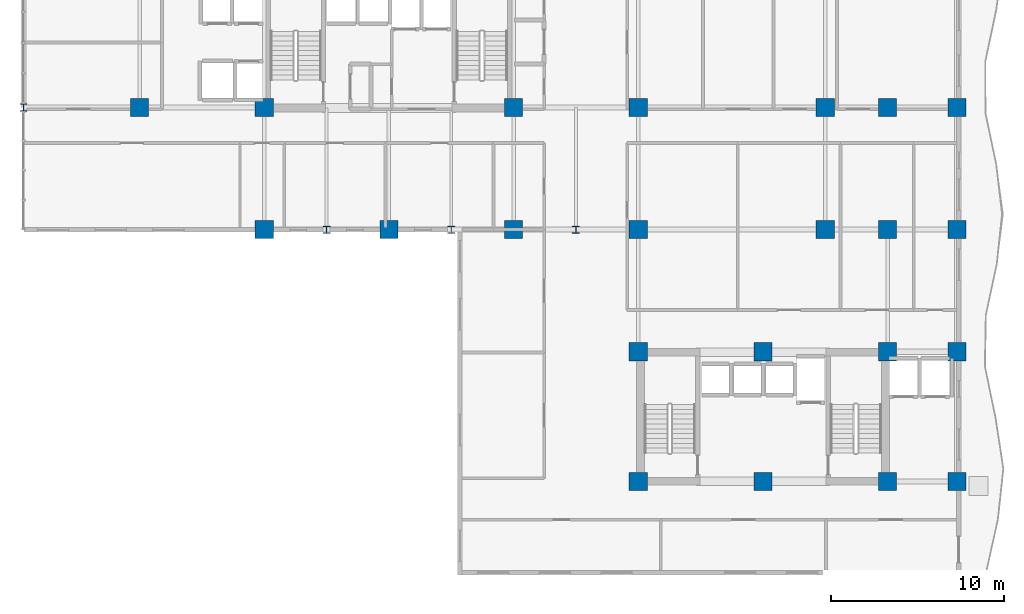
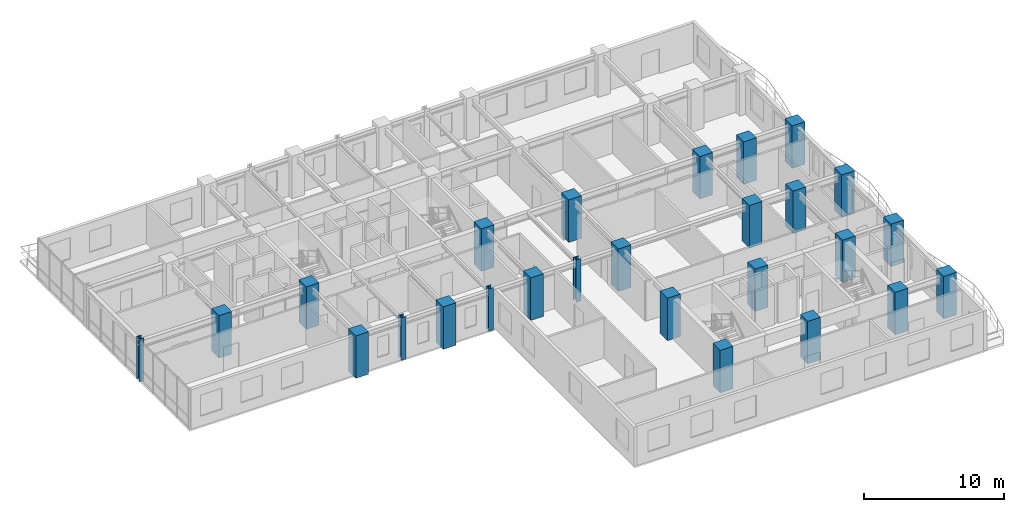
# One storey, part 1 of 19: 26 columns.
"""IFC4 building model written with IfcOpenShell, lengths in metres."""

import ifcopenshell
import ifcopenshell.guid

model = None  # the IFC model being written
_history = None  # IfcOwnerHistory: only IFC2X3 demands one
_inside = {}  # id of a spatial element -> (the spatial element, [elements in it])
_under = {}  # id of a project, library or spatial element -> (it, [spatial elements below it])
_declared = {}  # id of a project -> (the project, [libraries it declares])
_typed = {}  # id of a type object -> (the type object, [elements of that type])
_made_of = {}  # id of a material, layer set ... -> (it, [elements and type objects made of it])


def new_model(schema):
    """Start an empty IFC model of exactly this schema.

    Asked for "IFC4X3", IfcOpenShell would pick the latest addendum, in which some entities
    have other attributes; the version numbers below select the first issue.
    IFC2X3 requires an IfcOwnerHistory on every rooted entity: one is made here for all.
    """
    global model, _history
    if schema == "IFC4X3":
        model = ifcopenshell.file(schema_version=(4, 3, 0, 0))
    else:
        model = ifcopenshell.file(schema=schema)
    _inside.clear()
    _under.clear()
    _declared.clear()
    _typed.clear()
    _made_of.clear()
    _history = None
    if model.schema == "IFC2X3":
        org = make("IfcOrganization", Name="unknown")
        user = make(
            "IfcPersonAndOrganization",
            ThePerson=make("IfcPerson", FamilyName="unknown"),
            TheOrganization=org,
        )
        app = make(
            "IfcApplication",
            ApplicationDeveloper=org,
            Version="unknown",
            ApplicationFullName="unknown",
            ApplicationIdentifier="unknown",
        )
        _history = make(
            "IfcOwnerHistory",
            OwningUser=user,
            OwningApplication=app,
            ChangeAction="ADDED",
            CreationDate=0,
        )
    return model


def make(cls, **values):
    """One entity of the class cls with the attributes given. An attribute that is None is left unset."""
    return model.create_entity(
        cls, **{name: value for name, value in values.items() if value is not None}
    )


def rooted(cls, **values):
    """An entity with a GlobalId (a new one), such as an element, a storey or a relation."""
    return make(cls, GlobalId=ifcopenshell.guid.new(), OwnerHistory=_history, **values)


def si_unit(unit_type, name, prefix=None):
    """IfcSIUnit, for example si_unit("LENGTHUNIT", "METRE", prefix="MILLI")."""
    return make("IfcSIUnit", UnitType=unit_type, Prefix=prefix, Name=name)


def assignment(units):
    """IfcUnitAssignment: the units of a project."""
    return None if units is None else make("IfcUnitAssignment", Units=units)


def point(xyz):
    """IfcCartesianPoint."""
    return None if xyz is None else make("IfcCartesianPoint", Coordinates=xyz)


def direction(xyz):
    """IfcDirection."""
    return None if xyz is None else make("IfcDirection", DirectionRatios=xyz)


def frame(location, z_axis=None, x_axis=None):
    """IfcAxis2Placement3D, a coordinate frame: its origin and axes. An axis left out is left unset."""
    return make(
        "IfcAxis2Placement3D",
        Location=point(location),
        Axis=direction(z_axis),
        RefDirection=direction(x_axis),
    )


def frame_2d(location, x_axis=None):
    """IfcAxis2Placement2D, a coordinate frame in the plane: its origin and x axis."""
    return make(
        "IfcAxis2Placement2D", Location=point(location), RefDirection=direction(x_axis)
    )


def origin():
    """The frame at (0, 0, 0) with its axes left unset."""
    return frame((0.0, 0.0, 0.0))


def origin_2d():
    """The frame at (0, 0) in the plane with its x axis left unset."""
    return frame_2d((0.0, 0.0))


def place(relative_to, where):
    """IfcLocalPlacement: puts the frame where relative to a parent placement (None: the world)."""
    return make(
        "IfcLocalPlacement", PlacementRelTo=relative_to, RelativePlacement=where
    )


def context(
    kind, dimensions, precision=None, world=None, true_north=None, identifier=None
):
    """IfcGeometricRepresentationContext, for example the 3D "Model" context."""
    return make(
        "IfcGeometricRepresentationContext",
        ContextIdentifier=identifier,
        ContextType=kind,
        CoordinateSpaceDimension=dimensions,
        Precision=precision,
        WorldCoordinateSystem=world,
        TrueNorth=true_north,
    )


def subcontext(parent, identifier, kind, view, scale=None):
    """IfcGeometricRepresentationSubContext, for example "Body" below "Model"."""
    return make(
        "IfcGeometricRepresentationSubContext",
        ContextIdentifier=identifier,
        ContextType=kind,
        ParentContext=parent,
        TargetScale=scale,
        TargetView=view,
    )


def project(units=None, contexts=None):
    """IfcProject with its units and contexts."""
    return rooted(
        "IfcProject",
        Name="project",
        RepresentationContexts=contexts,
        UnitsInContext=assignment(units),
    )


def spatial(cls, under=None, at=None, **own):
    """A site, building, storey or space (cls), placed at a placement, below another one or the project."""
    s = rooted(cls, ObjectPlacement=at, **own)
    if under is not None:
        _under.setdefault(under.id(), (under, []))[1].append(s)
    return s


def profile(cls, at=None, kind="AREA", **sizes):
    """A parametric profile (cls). Its sizes go by their IFC names, for example OverallWidth=200.0."""
    return make(cls, ProfileType=kind, Position=at, **sizes)


def rectangle(**sizes):
    """IfcRectangleProfileDef."""
    return profile("IfcRectangleProfileDef", **sizes)


def i_section(**sizes):
    """IfcIShapeProfileDef."""
    return profile("IfcIShapeProfileDef", **sizes)


def extrude(swept, where, along, depth):
    """IfcExtrudedAreaSolid: the profile swept, set in the frame where, extruded along a direction by depth."""
    return make(
        "IfcExtrudedAreaSolid",
        SweptArea=swept,
        Position=where,
        ExtrudedDirection=direction(along),
        Depth=depth,
    )


def shape(context_of_items, identifier, shape_type, items):
    """IfcShapeRepresentation: the items that make up one representation, for example the "Body"."""
    return make(
        "IfcShapeRepresentation",
        ContextOfItems=context_of_items,
        RepresentationIdentifier=identifier,
        RepresentationType=shape_type,
        Items=items,
    )


def source(mapping_origin, context_of_items, identifier, shape_type, items):
    """IfcRepresentationMap: a shape defined once, which mapped items show again and again."""
    return make(
        "IfcRepresentationMap",
        MappingOrigin=mapping_origin,
        MappedRepresentation=shape(context_of_items, identifier, shape_type, items),
    )


def transform(
    local_origin,
    x_axis=None,
    y_axis=None,
    z_axis=None,
    scale=None,
    scale2=None,
    scale3=None,
    uniform=True,
):
    """IfcCartesianTransformationOperator3D, or its non-uniform kind. x_axis, y_axis, z_axis: its Axis1, 2, 3."""
    if uniform:
        return make(
            "IfcCartesianTransformationOperator3D",
            Axis1=direction(x_axis),
            Axis2=direction(y_axis),
            LocalOrigin=point(local_origin),
            Scale=scale,
            Axis3=direction(z_axis),
        )
    return make(
        "IfcCartesianTransformationOperator3DnonUniform",
        Axis1=direction(x_axis),
        Axis2=direction(y_axis),
        LocalOrigin=point(local_origin),
        Scale=scale,
        Axis3=direction(z_axis),
        Scale2=scale2,
        Scale3=scale3,
    )


def mapped(mapping_source, mapping_target):
    """IfcMappedItem: shows the shape of a source again, moved by a transform."""
    return make(
        "IfcMappedItem", MappingSource=mapping_source, MappingTarget=mapping_target
    )


def material(Name=None, Category=None):
    """IfcMaterial."""
    return make("IfcMaterial", Name=Name, Category=Category)


def material_profile(
    of_material, cross_section, Name=None, Category=None, Priority=None
):
    """IfcMaterialProfile: a cross section and its material."""
    return make(
        "IfcMaterialProfile",
        Name=Name,
        Material=of_material,
        Profile=cross_section,
        Priority=Priority,
        Category=Category,
    )


def profile_set(profiles, Name=None, composite=None):
    """IfcMaterialProfileSet."""
    return make(
        "IfcMaterialProfileSet",
        Name=Name,
        MaterialProfiles=profiles,
        CompositeProfile=composite,
    )


def made_of(thing, what):
    """Note that an element or type object is made of a material, layer set ...; save() writes the relation."""
    if what is not None:
        _made_of.setdefault(what.id(), (what, []))[1].append(thing)
    return thing


def type_object(cls, material=None, **own):
    """A type object (cls), such as IfcWallType, which elements share."""
    return made_of(rooted(cls, **own), material)


def element(
    cls,
    number,
    at=None,
    inside=None,
    cuts=None,
    type_object=None,
    material=None,
    context=None,
    identifier="Body",
    shape_type=None,
    held_by="IfcProductDefinitionShape",
    body=None,
    shapes=None,
    **own,
):
    """One element of the class cls, such as IfcWall. Its Tag is "e" and its number.

    at: its placement. inside: the storey or other place that contains it. cuts: it is an
    opening in that element (IfcRelVoidsElement). A single representation is given by context,
    identifier, shape_type and body (its items); several are given by shapes. held_by: the class
    of the entity that holds the representations. save() writes the other relations.
    """
    e = rooted(cls, Tag="e%d" % number, ObjectPlacement=at, **own)
    if body is not None:
        shapes = [shape(context, identifier, shape_type, body)]
    if shapes is not None:
        e.Representation = make(held_by, Representations=shapes)
    if inside is not None:
        _inside.setdefault(inside.id(), (inside, []))[1].append(e)
    if cuts is not None:
        rooted(
            "IfcRelVoidsElement", RelatingBuildingElement=cuts, RelatedOpeningElement=e
        )
    if type_object is not None:
        _typed.setdefault(type_object.id(), (type_object, []))[1].append(e)
    return made_of(e, material)


def aggregate(whole, parts):
    """IfcRelAggregates: a whole, such as a stair, and the parts it consists of."""
    return rooted("IfcRelAggregates", RelatingObject=whole, RelatedObjects=parts)


def save(model, path):
    """Write the relations noted so far, then the file.

    IfcRelAggregates (storeys below a building ...), IfcRelContainedInSpatialStructure (elements
    in a storey), IfcRelDefinesByType, IfcRelAssociatesMaterial and IfcRelDeclares: one each for
    every whole, place, type object, material and project.
    """
    for whole, parts in _under.values():
        aggregate(whole, parts)
    for where, things in _inside.values():
        rooted(
            "IfcRelContainedInSpatialStructure",
            RelatedElements=things,
            RelatingStructure=where,
        )
    for kind, things in _typed.values():
        rooted("IfcRelDefinesByType", RelatedObjects=things, RelatingType=kind)
    for what, things in _made_of.values():
        rooted("IfcRelAssociatesMaterial", RelatedObjects=things, RelatingMaterial=what)
    for by, libraries in _declared.values():
        rooted("IfcRelDeclares", RelatingContext=by, RelatedDefinitions=libraries)
    model.write(path)


model = new_model("IFC4")

# Units and contexts
model_context = context("Model", 3, precision=1e-05, world=origin(), true_north=direction((0.0, 1.0)))
body_context = subcontext(model_context, "Body", "Model", "MODEL_VIEW")
ifc_project = project(units=[si_unit("LENGTHUNIT", "METRE"), si_unit("AREAUNIT", "SQUARE_METRE"), si_unit("VOLUMEUNIT", "CUBIC_METRE"), si_unit("PLANEANGLEUNIT", "RADIAN"), si_unit("MASSUNIT", "GRAM", prefix="KILO")], contexts=[model_context])

# Site, building, storey
site_placement = place(None, origin())
site = spatial("IfcSite", under=ifc_project, at=site_placement, CompositionType="ELEMENT")
building_placement = place(site_placement, origin())
building = spatial("IfcBuilding", under=site, at=building_placement, Name="Kaliganga Portal Commons", CompositionType="ELEMENT")
storey_placement = place(building_placement, frame((0.0, 0.0, 140.199951171875)))
storey = spatial("IfcBuildingStorey", under=building, at=storey_placement, Name="L35", CompositionType="ELEMENT", Elevation=140.199951171875)

# Columns
ifc_material_1 = material(Name="Concrete C60/75", Category="concrete")
ifc_material_profile_1 = material_profile(ifc_material_1, rectangle(XDim=1.050048828125, YDim=1.050048828125, at=origin_2d()), Name="RC 1050x1050")
ifc_profile_set_1 = profile_set([ifc_material_profile_1], Name="Concrete C60/75")
column_type_1 = type_object("IfcColumnType", Name="COL-MEGA-Z3", PredefinedType="COLUMN", material=ifc_profile_set_1)
shared_shape_1 = source(origin(), body_context, "Body", "SweptSolid", [
    extrude(rectangle(XDim=1.050048828125, YDim=1.050048828125, at=origin_2d()), origin(), (0.0, 0.0, 1.0), 3.699951171875),
])
for number, where, z_axis, x_axis, name in (
    (1, (7.199951171875, 28.64990234375, 0.0), (0.0, 0.0, 1.0), (1.0, 0.0, 0.0), "Column MC-04 L35"),
    (2, (14.39990234375, 21.60009765625, 0.0), (0.0, 0.0, 1.0), (1.0, 0.0, 0.0), "Column MC-04 L35"),
    (3, (14.39990234375, 28.64990234375, 0.0), (0.0, 0.0, 1.0), (1.0, 0.0, 0.0), "Column MC-04 L35"),
    (4, (21.60009765625, 21.60009765625, 0.0), (0.0, 0.0, 1.0), (1.0, 0.0, 0.0), "Column MC-04 L35"),
    (5, (28.800048828125, 21.60009765625, 0.0), (0.0, 0.0, 1.0), (1.0, 0.0, 0.0), "Column MC-04 L35"),
    (6, (28.800048828125, 28.64990234375, 0.0), (0.0, 0.0, 1.0), (1.0, 0.0, 0.0), "Column MC-04 L35"),
    (7, (36.0, 21.60009765625, 0.0), (0.0, 0.0, 1.0), (1.0, 0.0, 0.0), "Column MC-04 L35"),
    (8, (36.0, 28.64990234375, 0.0), (0.0, 0.0, 1.0), (1.0, 0.0, 0.0), "Column MC-04 L35"),
    (9, (46.800048828125, 21.60009765625, 0.0), (0.0, 0.0, 1.0), (1.0, 0.0, 0.0), "Column MC-04 L35"),
    (10, (46.800048828125, 28.64990234375, 0.0), (0.0, 0.0, 1.0), (1.0, 0.0, 0.0), "Column MC-04 L35"),
    (11, (36.0, 7.050048828125, 0.0), (0.0, 0.0, 1.0), (1.0, 0.0, 0.0), "Column MC-04 L35"),
    (12, (36.0, 14.550048828125, 0.0), (0.0, 0.0, 1.0), (1.0, 0.0, 0.0), "Column MC-04 L35"),
    (13, (43.199951171875, 7.050048828125, 0.0), (0.0, 0.0, 1.0), (1.0, 0.0, 0.0), "Column MC-04 L35"),
    (14, (43.199951171875, 14.550048828125, 0.0), (0.0, 0.0, 1.0), (1.0, 0.0, 0.0), "Column MC-04 L35"),
    (15, (50.39990234375, 7.050048828125, 0.0), (0.0, 0.0, 1.0), (1.0, 0.0, 0.0), "Column MC-04 L35"),
    (16, (50.39990234375, 14.550048828125, 0.0), (0.0, 0.0, 1.0), (1.0, 0.0, 0.0), "Column MC-04 L35"),
    (17, (50.39990234375, 21.60009765625, 0.0), (0.0, 0.0, 1.0), (1.0, 0.0, 0.0), "Column MC-04 L35"),
    (18, (50.39990234375, 28.64990234375, 0.0), (0.0, 0.0, 1.0), (1.0, 0.0, 0.0), "Column MC-04 L35"),
    (19, (54.39990234375, 7.050048828125, 0.0), (0.0, 0.0, 1.0), (1.0, 0.0, 0.0), "Column MC-04 L35"),
    (20, (54.39990234375, 14.550048828125, 0.0), (0.0, 0.0, 1.0), (1.0, 0.0, 0.0), "Column MC-04 L35"),
    (21, (54.39990234375, 21.60009765625, 0.0), (0.0, 0.0, 1.0), (1.0, 0.0, 0.0), "Column MC-04 L35"),
    (22, (54.39990234375, 28.64990234375, 0.0), (0.0, 0.0, 1.0), (1.0, 0.0, 0.0), "Column MC-04 L35"),
):
    element("IfcColumn", number, at=place(storey_placement, frame(where, z_axis=z_axis, x_axis=x_axis)), inside=storey, type_object=column_type_1, Name=name, PredefinedType="COLUMN", context=body_context, shape_type="MappedRepresentation", body=[
        mapped(shared_shape_1, transform((0.0, 0.0, 0.0), x_axis=(1.0, 0.0, 0.0), y_axis=(0.0, 1.0, 0.0), z_axis=(0.0, 0.0, 1.0), scale=1.0)),
    ])
ifc_material_2 = material(Name="Structural steel S460M", Category="steel")
ifc_material_profile_2 = material_profile(ifc_material_2, i_section(OverallWidth=0.404052734375, OverallDepth=0.4140625, WebThickness=0.0205078125, FlangeThickness=0.028076171875, FilletRadius=0.014892578125, at=origin_2d()), Name="HD 400x347")
ifc_profile_set_2 = profile_set([ifc_material_profile_2], Name="Structural steel S460M wide-flange")
column_type_2 = type_object("IfcColumnType", Name="COL-TUBE-B3", PredefinedType="COLUMN", material=ifc_profile_set_2)
shared_shape_2 = source(origin(), body_context, "Body", "SweptSolid", [
    extrude(i_section(OverallWidth=0.404052734375, OverallDepth=0.4140625, WebThickness=0.0205078125, FlangeThickness=0.028076171875, FilletRadius=0.014892578125, at=origin_2d()), origin(), (0.0, 0.0, 1.0), 3.699951171875),
])
for number, where, z_axis, x_axis, name in (
    (23, (0.5, 28.64990234375, 0.0), (0.0, 0.0, 1.0), (1.0, 0.0, 0.0), "Column TC-03 L35"),
    (24, (18.0, 21.60009765625, 0.0), (0.0, 0.0, 1.0), (1.0, 0.0, 0.0), "Column TC-03 L35"),
    (25, (25.199951171875, 21.60009765625, 0.0), (0.0, 0.0, 1.0), (1.0, 0.0, 0.0), "Column TC-03 L35"),
    (26, (32.39990234375, 21.60009765625, 0.0), (0.0, 0.0, 1.0), (1.0, 0.0, 0.0), "Column TC-03 L35"),
):
    element("IfcColumn", number, at=place(storey_placement, frame(where, z_axis=z_axis, x_axis=x_axis)), inside=storey, type_object=column_type_2, Name=name, PredefinedType="COLUMN", context=body_context, shape_type="MappedRepresentation", body=[
        mapped(shared_shape_2, transform((0.0, 0.0, 0.0), x_axis=(1.0, 0.0, 0.0), y_axis=(0.0, 1.0, 0.0), z_axis=(0.0, 0.0, 1.0), scale=1.0)),
    ])

save(model, "model.ifc")
